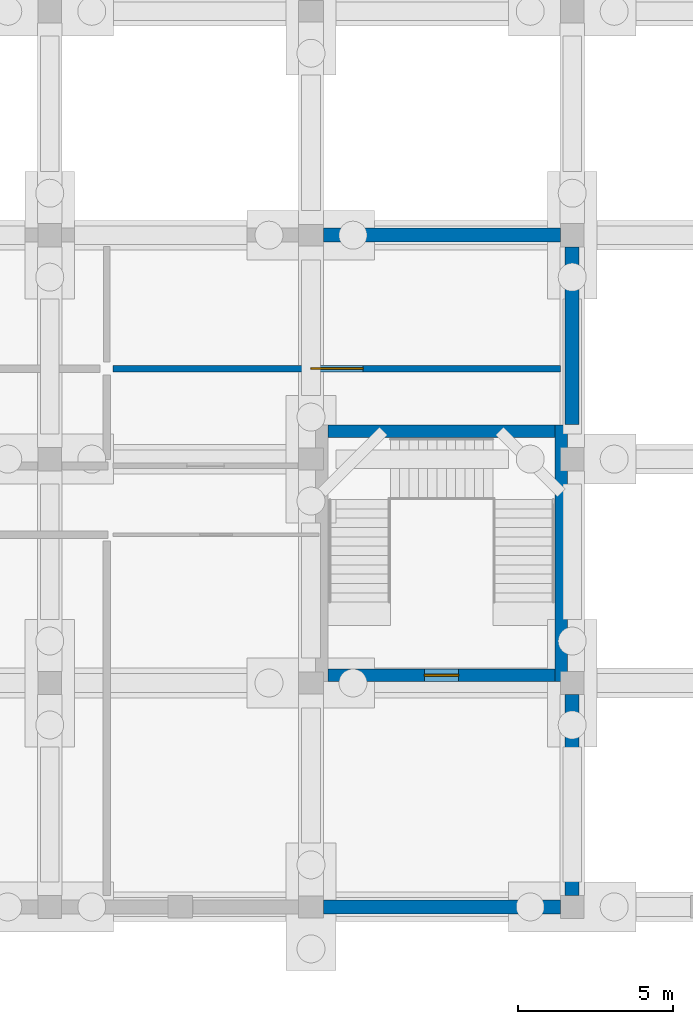
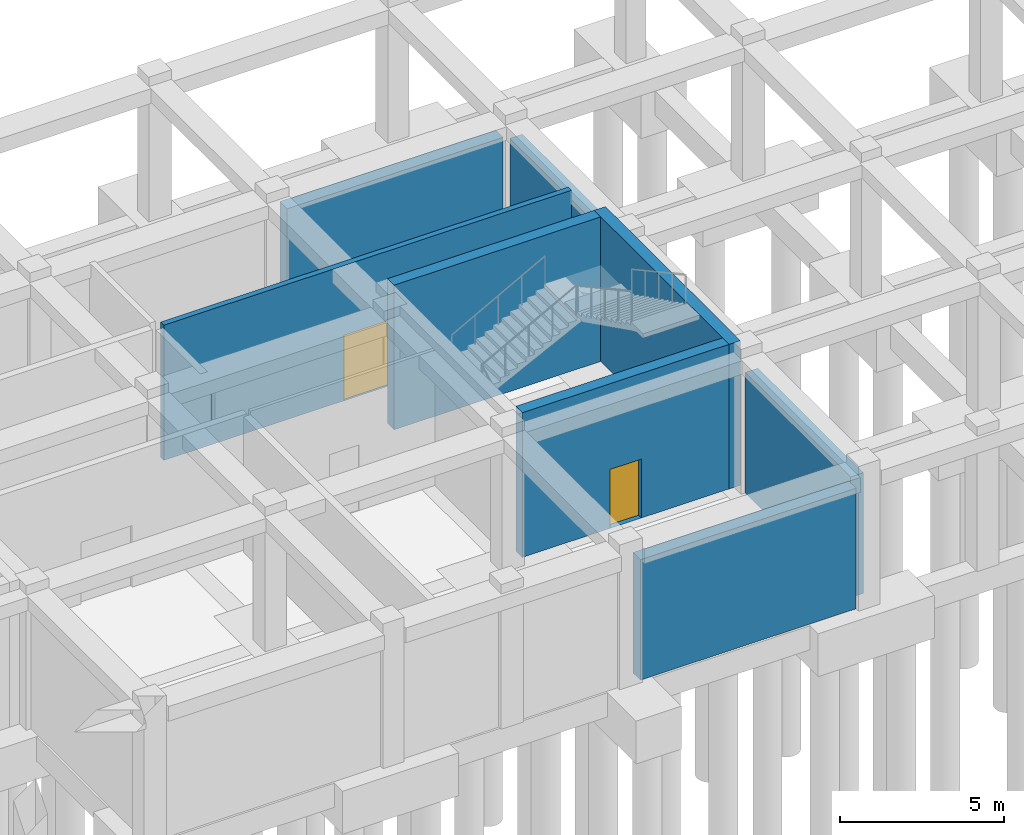
# One storey, part 27 of 32: 8 walls, 2 doors, 2 openings.
"""IFC4 building model written with IfcOpenShell, lengths in metres."""

import ifcopenshell
import ifcopenshell.guid

model = None  # the IFC model being written
_history = None  # IfcOwnerHistory: only IFC2X3 demands one
_inside = {}  # id of a spatial element -> (the spatial element, [elements in it])
_under = {}  # id of a project, library or spatial element -> (it, [spatial elements below it])
_declared = {}  # id of a project -> (the project, [libraries it declares])
_typed = {}  # id of a type object -> (the type object, [elements of that type])
_made_of = {}  # id of a material, layer set ... -> (it, [elements and type objects made of it])


def new_model(schema):
    """Start an empty IFC model of exactly this schema.

    Asked for "IFC4X3", IfcOpenShell would pick the latest addendum, in which some entities
    have other attributes; the version numbers below select the first issue.
    IFC2X3 requires an IfcOwnerHistory on every rooted entity: one is made here for all.
    """
    global model, _history
    if schema == "IFC4X3":
        model = ifcopenshell.file(schema_version=(4, 3, 0, 0))
    else:
        model = ifcopenshell.file(schema=schema)
    _inside.clear()
    _under.clear()
    _declared.clear()
    _typed.clear()
    _made_of.clear()
    _history = None
    if model.schema == "IFC2X3":
        org = make("IfcOrganization", Name="unknown")
        user = make(
            "IfcPersonAndOrganization",
            ThePerson=make("IfcPerson", FamilyName="unknown"),
            TheOrganization=org,
        )
        app = make(
            "IfcApplication",
            ApplicationDeveloper=org,
            Version="unknown",
            ApplicationFullName="unknown",
            ApplicationIdentifier="unknown",
        )
        _history = make(
            "IfcOwnerHistory",
            OwningUser=user,
            OwningApplication=app,
            ChangeAction="ADDED",
            CreationDate=0,
        )
    return model


def make(cls, **values):
    """One entity of the class cls with the attributes given. An attribute that is None is left unset."""
    return model.create_entity(
        cls, **{name: value for name, value in values.items() if value is not None}
    )


def rooted(cls, **values):
    """An entity with a GlobalId (a new one), such as an element, a storey or a relation."""
    return make(cls, GlobalId=ifcopenshell.guid.new(), OwnerHistory=_history, **values)


def si_unit(unit_type, name, prefix=None):
    """IfcSIUnit, for example si_unit("LENGTHUNIT", "METRE", prefix="MILLI")."""
    return make("IfcSIUnit", UnitType=unit_type, Prefix=prefix, Name=name)


def derived_unit(unit_type, elements):
    """IfcDerivedUnit: a product of units, each with its exponent."""
    return make(
        "IfcDerivedUnit",
        Elements=[
            make("IfcDerivedUnitElement", Unit=unit, Exponent=power)
            for unit, power in elements
        ],
        UnitType=unit_type,
    )


def assignment(units):
    """IfcUnitAssignment: the units of a project."""
    return None if units is None else make("IfcUnitAssignment", Units=units)


def point(xyz):
    """IfcCartesianPoint."""
    return None if xyz is None else make("IfcCartesianPoint", Coordinates=xyz)


def direction(xyz):
    """IfcDirection."""
    return None if xyz is None else make("IfcDirection", DirectionRatios=xyz)


def frame(location, z_axis=None, x_axis=None):
    """IfcAxis2Placement3D, a coordinate frame: its origin and axes. An axis left out is left unset."""
    return make(
        "IfcAxis2Placement3D",
        Location=point(location),
        Axis=direction(z_axis),
        RefDirection=direction(x_axis),
    )


def frame_2d(location, x_axis=None):
    """IfcAxis2Placement2D, a coordinate frame in the plane: its origin and x axis."""
    return make(
        "IfcAxis2Placement2D", Location=point(location), RefDirection=direction(x_axis)
    )


def origin():
    """The frame at (0, 0, 0) with its axes left unset."""
    return frame((0.0, 0.0, 0.0))


def place(relative_to, where):
    """IfcLocalPlacement: puts the frame where relative to a parent placement (None: the world)."""
    return make(
        "IfcLocalPlacement", PlacementRelTo=relative_to, RelativePlacement=where
    )


def context(
    kind, dimensions, precision=None, world=None, true_north=None, identifier=None
):
    """IfcGeometricRepresentationContext, for example the 3D "Model" context."""
    return make(
        "IfcGeometricRepresentationContext",
        ContextIdentifier=identifier,
        ContextType=kind,
        CoordinateSpaceDimension=dimensions,
        Precision=precision,
        WorldCoordinateSystem=world,
        TrueNorth=true_north,
    )


def subcontext(parent, identifier, kind, view, scale=None):
    """IfcGeometricRepresentationSubContext, for example "Body" below "Model"."""
    return make(
        "IfcGeometricRepresentationSubContext",
        ContextIdentifier=identifier,
        ContextType=kind,
        ParentContext=parent,
        TargetScale=scale,
        TargetView=view,
    )


def project(units=None, contexts=None):
    """IfcProject with its units and contexts."""
    return rooted(
        "IfcProject",
        Name="project",
        RepresentationContexts=contexts,
        UnitsInContext=assignment(units),
    )


def spatial(cls, under=None, at=None, **own):
    """A site, building, storey or space (cls), placed at a placement, below another one or the project."""
    s = rooted(cls, ObjectPlacement=at, **own)
    if under is not None:
        _under.setdefault(under.id(), (under, []))[1].append(s)
    return s


def profile(cls, at=None, kind="AREA", **sizes):
    """A parametric profile (cls). Its sizes go by their IFC names, for example OverallWidth=200.0."""
    return make(cls, ProfileType=kind, Position=at, **sizes)


def rectangle(**sizes):
    """IfcRectangleProfileDef."""
    return profile("IfcRectangleProfileDef", **sizes)


def extrude(swept, where, along, depth):
    """IfcExtrudedAreaSolid: the profile swept, set in the frame where, extruded along a direction by depth."""
    return make(
        "IfcExtrudedAreaSolid",
        SweptArea=swept,
        Position=where,
        ExtrudedDirection=direction(along),
        Depth=depth,
    )


def shape(context_of_items, identifier, shape_type, items):
    """IfcShapeRepresentation: the items that make up one representation, for example the "Body"."""
    return make(
        "IfcShapeRepresentation",
        ContextOfItems=context_of_items,
        RepresentationIdentifier=identifier,
        RepresentationType=shape_type,
        Items=items,
    )


def material(Name=None, Category=None):
    """IfcMaterial."""
    return make("IfcMaterial", Name=Name, Category=Category)


def layer(
    of_material, thickness, ventilated=None, Name=None, Category=None, Priority=None
):
    """IfcMaterialLayer: one layer of a wall or slab, of a material (None: an air gap)."""
    return make(
        "IfcMaterialLayer",
        Material=of_material,
        LayerThickness=thickness,
        IsVentilated=ventilated,
        Name=Name,
        Category=Category,
        Priority=Priority,
    )


def layer_set(layers, Name=None):
    """IfcMaterialLayerSet."""
    return make("IfcMaterialLayerSet", MaterialLayers=layers, LayerSetName=Name)


def made_of(thing, what):
    """Note that an element or type object is made of a material, layer set ...; save() writes the relation."""
    if what is not None:
        _made_of.setdefault(what.id(), (what, []))[1].append(thing)
    return thing


def type_object(cls, material=None, **own):
    """A type object (cls), such as IfcWallType, which elements share."""
    return made_of(rooted(cls, **own), material)


def element(
    cls,
    number,
    at=None,
    inside=None,
    cuts=None,
    type_object=None,
    material=None,
    context=None,
    identifier="Body",
    shape_type=None,
    held_by="IfcProductDefinitionShape",
    body=None,
    shapes=None,
    **own,
):
    """One element of the class cls, such as IfcWall. Its Tag is "e" and its number.

    at: its placement. inside: the storey or other place that contains it. cuts: it is an
    opening in that element (IfcRelVoidsElement). A single representation is given by context,
    identifier, shape_type and body (its items); several are given by shapes. held_by: the class
    of the entity that holds the representations. save() writes the other relations.
    """
    e = rooted(cls, Tag="e%d" % number, ObjectPlacement=at, **own)
    if body is not None:
        shapes = [shape(context, identifier, shape_type, body)]
    if shapes is not None:
        e.Representation = make(held_by, Representations=shapes)
    if inside is not None:
        _inside.setdefault(inside.id(), (inside, []))[1].append(e)
    if cuts is not None:
        rooted(
            "IfcRelVoidsElement", RelatingBuildingElement=cuts, RelatedOpeningElement=e
        )
    if type_object is not None:
        _typed.setdefault(type_object.id(), (type_object, []))[1].append(e)
    return made_of(e, material)


def fill(opening, filler):
    """IfcRelFillsElement: the door or window that sits in an opening."""
    return rooted(
        "IfcRelFillsElement",
        RelatingOpeningElement=opening,
        RelatedBuildingElement=filler,
    )


def aggregate(whole, parts):
    """IfcRelAggregates: a whole, such as a stair, and the parts it consists of."""
    return rooted("IfcRelAggregates", RelatingObject=whole, RelatedObjects=parts)


def save(model, path):
    """Write the relations noted so far, then the file.

    IfcRelAggregates (storeys below a building ...), IfcRelContainedInSpatialStructure (elements
    in a storey), IfcRelDefinesByType, IfcRelAssociatesMaterial and IfcRelDeclares: one each for
    every whole, place, type object, material and project.
    """
    for whole, parts in _under.values():
        aggregate(whole, parts)
    for where, things in _inside.values():
        rooted(
            "IfcRelContainedInSpatialStructure",
            RelatedElements=things,
            RelatingStructure=where,
        )
    for kind, things in _typed.values():
        rooted("IfcRelDefinesByType", RelatedObjects=things, RelatingType=kind)
    for what, things in _made_of.values():
        rooted("IfcRelAssociatesMaterial", RelatedObjects=things, RelatingMaterial=what)
    for by, libraries in _declared.values():
        rooted("IfcRelDeclares", RelatingContext=by, RelatedDefinitions=libraries)
    model.write(path)


model = new_model("IFC4")

# Units and contexts
model_context = context("Model", 3, precision=1e-05, world=origin(), true_north=direction((0.0, 1.0)))
body_context = subcontext(model_context, "Body", "Model", "MODEL_VIEW")
ifc_project = project(units=[si_unit("LENGTHUNIT", "METRE"), si_unit("AREAUNIT", "SQUARE_METRE"), si_unit("VOLUMEUNIT", "CUBIC_METRE"), si_unit("PLANEANGLEUNIT", "RADIAN"), si_unit("MASSUNIT", "GRAM", prefix="KILO"), derived_unit("THERMALTRANSMITTANCEUNIT", [(si_unit("POWERUNIT", "WATT"), 1), (si_unit("LENGTHUNIT", "METRE"), -2), (si_unit("THERMODYNAMICTEMPERATUREUNIT", "KELVIN"), -1)])], contexts=[model_context])

# Site, building, storey
site_placement = place(None, origin())
site = spatial("IfcSite", under=ifc_project, at=site_placement, CompositionType="ELEMENT")
building_placement = place(site_placement, origin())
building = spatial("IfcBuilding", under=site, at=building_placement, Name="Veybourne Emporium", CompositionType="ELEMENT")
storey_placement = place(building_placement, frame((0.0, 0.0, -5.39990234375)))
storey = spatial("IfcBuildingStorey", under=building, at=storey_placement, Name="B1", CompositionType="ELEMENT", Elevation=-5.39990234375)

# Walls
ifc_material_1 = material(Name="Concrete C40/50", Category="concrete")
ifc_layer_1 = layer(ifc_material_1, 0.449951171875)
ifc_layer_set_1 = layer_set([ifc_layer_1], Name="Concrete C40/50")
wall_type_1 = type_object("IfcWallType", Name="ExtWall_RW-01", PredefinedType="USERDEFINED", material=ifc_layer_set_1)
wall_1_placement = place(storey_placement, frame((134.02490234375, 0.0, 0.0), z_axis=(0.0, 0.0, 1.0), x_axis=(-1.0, 0.0, 0.0)))
element("IfcWall", 1, at=wall_1_placement, inside=storey, type_object=wall_type_1, Name="Basement perimeter retaining wall 076", ObjectType="RETAININGWALL", PredefinedType="USERDEFINED", context=body_context, shape_type="SweptSolid", body=[
    extrude(rectangle(XDim=7.625, YDim=0.449951171875, at=frame_2d((3.8125, 0.0))), origin(), (0.0, 0.0, 1.0), 4.5),
])
wall_2_placement = place(storey_placement, frame((134.39990234375, 6.824951171875, 0.0), z_axis=(0.0, 0.0, 1.0), x_axis=(0.0, -1.0, 0.0)))
element("IfcWall", 2, at=wall_2_placement, inside=storey, type_object=wall_type_1, Name="Basement perimeter retaining wall 077", ObjectType="RETAININGWALL", PredefinedType="USERDEFINED", context=body_context, shape_type="SweptSolid", body=[
    extrude(rectangle(XDim=6.449951171875, YDim=0.449951171875, at=frame_2d((3.22509765625, 0.0))), origin(), (0.0, 0.0, 1.0), 4.5),
])
wall_3_placement = place(storey_placement, frame((134.39990234375, 21.22509765625, 0.0), z_axis=(0.0, 0.0, 1.0), x_axis=(0.0, -1.0, 0.0)))
element("IfcWall", 3, at=wall_3_placement, inside=storey, type_object=wall_type_1, Name="Basement perimeter retaining wall 079", ObjectType="RETAININGWALL", PredefinedType="USERDEFINED", context=body_context, shape_type="SweptSolid", body=[
    extrude(rectangle(XDim=5.705078125, YDim=0.449951171875, at=frame_2d((2.8525390625, 0.0))), origin(), (0.0, 0.0, 1.0), 4.5),
])
wall_4_placement = place(storey_placement, frame((126.39990234375, 21.60009765625, 0.0), z_axis=(0.0, 0.0, 1.0), x_axis=(1.0, 0.0, 0.0)))
element("IfcWall", 4, at=wall_4_placement, inside=storey, type_object=wall_type_1, Name="Basement perimeter retaining wall 080", ObjectType="RETAININGWALL", PredefinedType="USERDEFINED", context=body_context, shape_type="SweptSolid", body=[
    extrude(rectangle(XDim=7.625, YDim=0.449951171875, at=frame_2d((3.8125, 0.0))), origin(), (0.0, 0.0, 1.0), 4.5),
])

# Wall, opening, door
ifc_layer_2 = layer(ifc_material_1, 0.39990234375)
ifc_layer_set_2 = layer_set([ifc_layer_2], Name="Concrete C40/50")
wall_type_2 = type_object("IfcWallType", Name="IntWall_CW-01", PredefinedType="SHEAR", material=ifc_layer_set_2)
wall_5_placement = place(storey_placement, frame((133.85009765625, 7.449951171875, 0.0), z_axis=(0.0, 0.0, 1.0), x_axis=(-1.0, 0.0, 0.0)))
wall_5 = element("IfcWall", 5, at=wall_5_placement, inside=storey, type_object=wall_type_2, Name="Core stair ST-06 south shear wall (B1)", PredefinedType="SHEAR", context=body_context, shape_type="SweptSolid", body=[
    extrude(rectangle(XDim=7.300048828125, YDim=0.39990234375, at=frame_2d((3.64990234375, 0.0))), origin(), (0.0, 0.0, 1.0), 5.39990234375),
])
opening_1_placement = place(wall_5_placement, frame((3.10009765625, 0.0, 0.0)))
opening_1 = element("IfcOpeningElement", 6, at=opening_1_placement, cuts=wall_5, Name="Opening FD-01", PredefinedType="OPENING", context=body_context, shape_type="SweptSolid", body=[
    extrude(rectangle(XDim=1.10009765625, YDim=2.199951171875, at=frame_2d((0.550048828125, 1.10009765625))), frame((0.0, 0.219970703125, 0.0), z_axis=(0.0, -1.0, 0.0), x_axis=(1.0, 0.0, 0.0)), (0.0, 0.0, 1.0), 0.43994140625),
])
ifc_material_2 = material(Name="Patinated Architectural Bronze", Category="bronze")
door_type_1 = type_object("IfcDoorType", Name="FireDoor_FD-01", OperationType="NOTDEFINED", PredefinedType="DOOR", material=ifc_material_2)
door_1_placement = place(opening_1_placement, origin())
door_1 = element("IfcDoor", 7, at=door_1_placement, inside=storey, type_object=door_type_1, Name="Stair ST-06 fire door (B1)", OperationType="SINGLE_SWING_RIGHT", OverallHeight=2.199951171875, OverallWidth=1.10009765625, PredefinedType="DOOR", context=body_context, shape_type="SweptSolid", body=[
    extrude(rectangle(XDim=1.10009765625, YDim=2.199951171875, at=frame_2d((0.550048828125, 1.10009765625))), frame((0.0, 0.02490234375, 0.0), z_axis=(0.0, -1.0, 0.0), x_axis=(1.0, 0.0, 0.0)), (0.0, 0.0, 1.0), 0.050048828125),
])
fill(opening_1, door_1)

# Walls
wall_6_placement = place(storey_placement, frame((126.550048828125, 15.300048828125, 0.0), z_axis=(0.0, 0.0, 1.0), x_axis=(1.0, 0.0, 0.0)))
element("IfcWall", 8, at=wall_6_placement, inside=storey, type_object=wall_type_2, Name="Core stair ST-06 north shear wall (B1)", PredefinedType="SHEAR", context=body_context, shape_type="SweptSolid", body=[
    extrude(rectangle(XDim=7.300048828125, YDim=0.39990234375, at=frame_2d((3.64990234375, 0.0))), origin(), (0.0, 0.0, 1.0), 5.39990234375),
])
wall_7_placement = place(storey_placement, frame((134.050048828125, 7.25, 0.0), z_axis=(0.0, 0.0, 1.0), x_axis=(0.0, 1.0, 0.0)))
element("IfcWall", 9, at=wall_7_placement, inside=storey, type_object=wall_type_2, Name="Core stair ST-06 east shear wall (B1)", PredefinedType="SHEAR", context=body_context, shape_type="SweptSolid", body=[
    extrude(rectangle(XDim=8.25, YDim=0.39990234375, at=frame_2d((4.125, 0.0))), origin(), (0.0, 0.0, 1.0), 5.39990234375),
])

# Wall, opening, door
ifc_material_3 = material(Name="Gypsum Acoustic Board", Category="gypsum")
ifc_layer_3 = layer(ifc_material_3, 0.199951171875)
ifc_layer_set_3 = layer_set([ifc_layer_3], Name="Gypsum Acoustic Board")
wall_type_3 = type_object("IfcWallType", Name="IntWall_IW-04", PredefinedType="PLUMBINGWALL", material=ifc_layer_set_3)
wall_8_placement = place(storey_placement, frame((119.639892578125, 17.306884765625, 0.0), z_axis=(0.0, 0.0, 1.0), x_axis=(1.0, 0.0, 0.0)))
wall_8 = element("IfcWall", 10, at=wall_8_placement, inside=storey, type_object=wall_type_3, Name="B1 interior partition IW-04 #151", PredefinedType="PLUMBINGWALL", context=body_context, shape_type="SweptSolid", body=[
    extrude(rectangle(XDim=14.39013671875, YDim=0.199951171875, at=frame_2d((7.195068359375, 0.0))), origin(), (0.0, 0.0, 1.0), 5.0498046875),
])
opening_2_placement = place(wall_8_placement, frame((6.35498046875, 0.0, 0.0)))
opening_2 = element("IfcOpeningElement", 11, at=opening_2_placement, cuts=wall_8, Name="Opening D-36", PredefinedType="OPENING", context=body_context, shape_type="SweptSolid", body=[
    extrude(rectangle(XDim=1.679931640625, YDim=2.449951171875, at=frame_2d((0.83984375, 1.22509765625))), frame((0.0, 0.1201171875, 0.0), z_axis=(0.0, -1.0, 0.0), x_axis=(1.0, 0.0, 0.0)), (0.0, 0.0, 1.0), 0.239990234375),
])
ifc_material_4 = material(Name="European Oak Veneer and Bronze", Category="wood")
door_type_2 = type_object("IfcDoorType", Name="IntDoor_D-36", OperationType="DOUBLE_DOOR_SINGLE_SWING", PredefinedType="DOOR", material=ifc_material_4)
door_2_placement = place(opening_2_placement, origin())
door_2 = element("IfcDoor", 12, at=door_2_placement, inside=storey, type_object=door_type_2, Name="B1 interior door D-36 (PART-B1-151)", OperationType="DOUBLE_DOOR_SINGLE_SWING", OverallHeight=2.449951171875, OverallWidth=1.679931640625, PredefinedType="DOOR", context=body_context, shape_type="SweptSolid", body=[
    extrude(rectangle(XDim=1.679931640625, YDim=2.449951171875, at=frame_2d((0.83984375, 1.22509765625))), frame((0.0, 0.02490234375, 0.0), z_axis=(0.0, -1.0, 0.0), x_axis=(1.0, 0.0, 0.0)), (0.0, 0.0, 1.0), 0.050048828125),
])
fill(opening_2, door_2)

save(model, "model.ifc")
